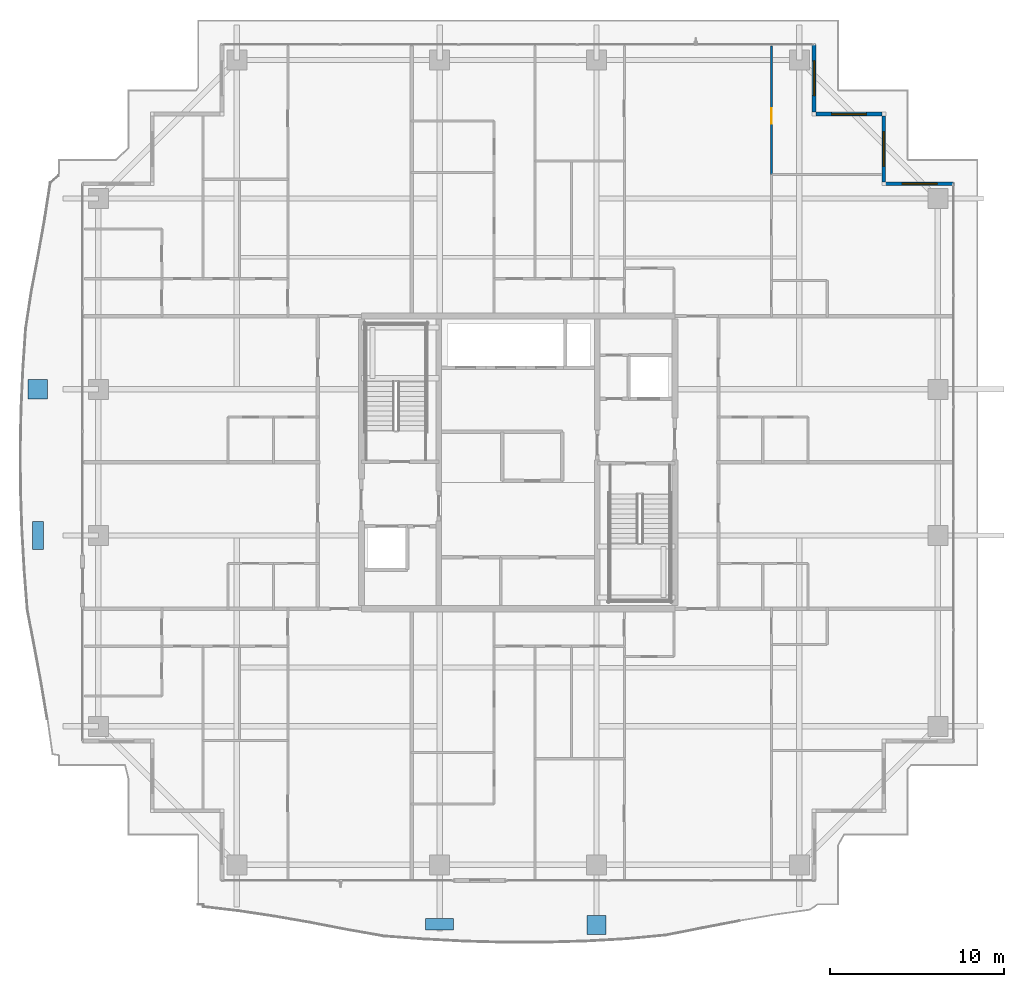
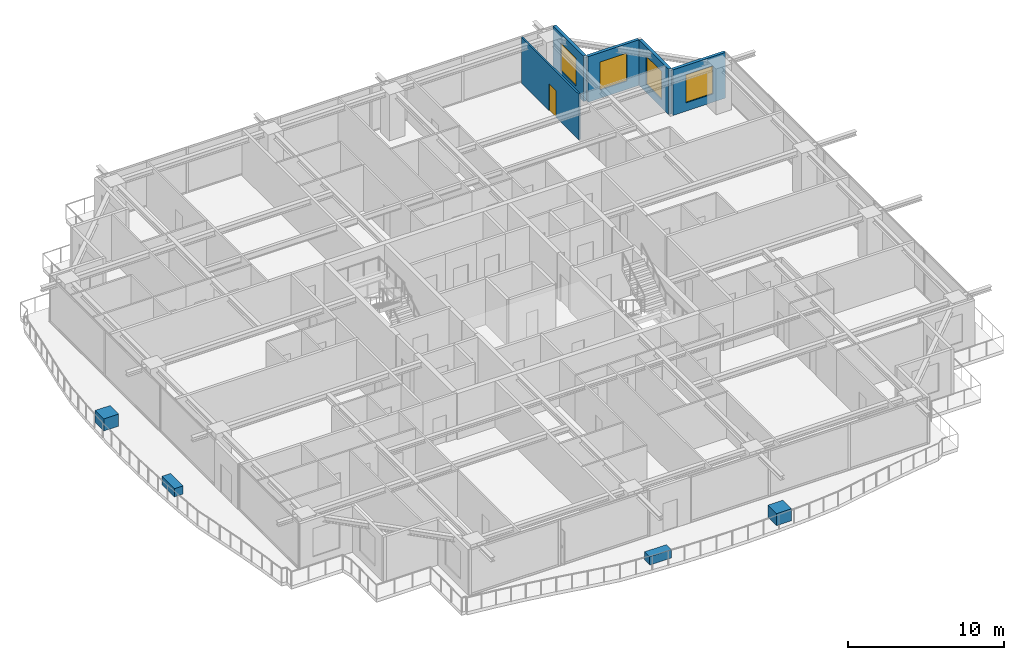
# One storey, part 29 of 38: 5 walls, 4 discrete accessories, 4 windows, 1 door, 5 openings.
"""IFC4 building model written with IfcOpenShell, lengths in metres."""

from ifc_helpers import new_model, si_unit, direction, frame, frame_2d, origin, origin_2d, place, context, subcontext, project, spatial, rectangle, extrude, source, transform, mapped, material, layer, layer_set, type_object, element, fill, save


model = new_model("IFC4")

# Units and contexts
model_context = context("Model", 3, precision=1e-05, world=origin(), true_north=direction((0.0, 1.0)))
body_context = subcontext(model_context, "Body", "Model", "MODEL_VIEW")
ifc_project = project(units=[si_unit("LENGTHUNIT", "METRE"), si_unit("AREAUNIT", "SQUARE_METRE"), si_unit("VOLUMEUNIT", "CUBIC_METRE"), si_unit("PLANEANGLEUNIT", "RADIAN"), si_unit("MASSUNIT", "GRAM", prefix="KILO")], contexts=[model_context])

# Site, building, storey
site_placement = place(None, origin())
site = spatial("IfcSite", under=ifc_project, at=site_placement, CompositionType="ELEMENT")
building_placement = place(site_placement, origin())
building = spatial("IfcBuilding", under=site, at=building_placement, Name="Serunith Strait Residences", CompositionType="ELEMENT")
storey_placement = place(building_placement, frame((0.0, 0.0, 241.25)))
storey = spatial("IfcBuildingStorey", under=building, at=storey_placement, Name="L60", CompositionType="ELEMENT", Elevation=241.25)

# Wall, opening, window
ifc_material_1 = material(Name="Pale-Champagne Aluminium Insulated Panel", Category="aluminium")
ifc_layer_1 = layer(ifc_material_1, 0.219970703125, Name="Pale-Champagne Aluminium Insulated Panel")
ifc_layer_set_1 = layer_set([ifc_layer_1], Name="Pale-Champagne Aluminium Insulated Panel")
wall_type_1 = type_object("IfcWallType", Name="EW-ALUM-220", PredefinedType="ELEMENTEDWALL", material=ifc_layer_set_1)
wall_1_placement = place(storey_placement, frame((57.39990234375, 41.199951171875, 0.0), z_axis=(0.0, 0.0, 1.0), x_axis=(-1.0, 0.0, 0.0)))
wall_1 = element("IfcWall", 1, at=wall_1_placement, inside=storey, type_object=wall_type_1, Name="L60 Girih Serrated Corner Wall 07", PredefinedType="ELEMENTEDWALL", context=body_context, shape_type="SweptSolid", body=[
    extrude(rectangle(XDim=3.889892578125, YDim=0.219970703125, at=frame_2d((1.94482421875, 0.0))), origin(), (0.0, 0.0, 1.0), 3.574951171875),
])
opening_1_placement = place(wall_1_placement, frame((0.945068359375, 0.0, 0.64990234375)))
opening_1 = element("IfcOpeningElement", 2, at=opening_1_placement, cuts=wall_1, Name="Opening W-04", PredefinedType="OPENING", context=body_context, shape_type="SweptSolid", body=[
    extrude(rectangle(XDim=2.0, YDim=2.199951171875, at=frame_2d((1.0, 1.10009765625))), frame((0.0, 0.1201171875, 0.0), z_axis=(0.0, -1.0, 0.0), x_axis=(1.0, 0.0, 0.0)), (0.0, 0.0, 1.0), 0.239990234375),
])
ifc_material_2 = material(Name="Ceramic-Fritted Operable Aluminium Window Glass", Category="aluminium")
window_type = type_object("IfcWindowType", Name="WIN-C4", PartitioningType="TRIPLE_PANEL_VERTICAL", PredefinedType="WINDOW", material=ifc_material_2)
shared_shape_1 = source(origin(), body_context, "Body", "SweptSolid", [
    extrude(rectangle(XDim=2.0, YDim=2.199951171875, at=frame_2d((1.0, 1.10009765625))), frame((0.0, 0.030029296875, 0.0), z_axis=(0.0, -1.0, 0.0), x_axis=(1.0, 0.0, 0.0)), (0.0, 0.0, 1.0), 0.06005859375),
])
window_1_placement = place(opening_1_placement, origin())
window_1 = element("IfcWindow", 3, at=window_1_placement, inside=storey, type_object=window_type, Name="L60 Corner Operable Fritted Window 07", OverallHeight=2.199951171875, OverallWidth=2.0, PartitioningType="SINGLE_PANEL", PredefinedType="WINDOW", context=body_context, shape_type="MappedRepresentation", body=[
    mapped(shared_shape_1, transform((0.0, 0.0, 0.0), scale=1.0)),
])
fill(opening_1, window_1)

wall_2_placement = place(storey_placement, frame((53.39990234375, 41.31005859375, 0.0), z_axis=(0.0, 0.0, 1.0), x_axis=(0.0, 1.0, 0.0)))
wall_2 = element("IfcWall", 4, at=wall_2_placement, inside=storey, type_object=wall_type_1, Name="L60 Girih Serrated Corner Wall 08", PredefinedType="ELEMENTEDWALL", context=body_context, shape_type="SweptSolid", body=[
    extrude(rectangle(XDim=3.780029296875, YDim=0.219970703125, at=frame_2d((1.89013671875, 0.0))), origin(), (0.0, 0.0, 1.0), 3.574951171875),
])
opening_2_placement = place(wall_2_placement, frame((0.889892578125, 0.0, 0.64990234375)))
opening_2 = element("IfcOpeningElement", 5, at=opening_2_placement, cuts=wall_2, Name="Opening W-04", PredefinedType="OPENING", context=body_context, shape_type="SweptSolid", body=[
    extrude(rectangle(XDim=2.0, YDim=2.199951171875, at=frame_2d((1.0, 1.10009765625))), frame((0.0, 0.1201171875, 0.0), z_axis=(0.0, -1.0, 0.0), x_axis=(1.0, 0.0, 0.0)), (0.0, 0.0, 1.0), 0.239990234375),
])
window_2_placement = place(opening_2_placement, origin())
window_2 = element("IfcWindow", 6, at=window_2_placement, inside=storey, type_object=window_type, Name="L60 Corner Operable Fritted Window 08", OverallHeight=2.199951171875, OverallWidth=2.0, PartitioningType="SINGLE_PANEL", PredefinedType="WINDOW", context=body_context, shape_type="MappedRepresentation", body=[
    mapped(shared_shape_1, transform((0.0, 0.0, 0.0), scale=1.0)),
])
fill(opening_2, window_2)

wall_3_placement = place(storey_placement, frame((53.2900390625, 45.199951171875, 0.0), z_axis=(0.0, 0.0, 1.0), x_axis=(-1.0, 0.0, 0.0)))
wall_3 = element("IfcWall", 7, at=wall_3_placement, inside=storey, type_object=wall_type_1, Name="L60 Girih Serrated Corner Wall 09", PredefinedType="ELEMENTEDWALL", context=body_context, shape_type="SweptSolid", body=[
    extrude(rectangle(XDim=3.780029296875, YDim=0.219970703125, at=frame_2d((1.89013671875, 0.0))), origin(), (0.0, 0.0, 1.0), 3.574951171875),
])
opening_3_placement = place(wall_3_placement, frame((0.889892578125, 0.0, 0.64990234375)))
opening_3 = element("IfcOpeningElement", 8, at=opening_3_placement, cuts=wall_3, Name="Opening W-04", PredefinedType="OPENING", context=body_context, shape_type="SweptSolid", body=[
    extrude(rectangle(XDim=2.0, YDim=2.199951171875, at=frame_2d((1.0, 1.10009765625))), frame((0.0, 0.1201171875, 0.0), z_axis=(0.0, -1.0, 0.0), x_axis=(1.0, 0.0, 0.0)), (0.0, 0.0, 1.0), 0.239990234375),
])
window_3_placement = place(opening_3_placement, origin())
window_3 = element("IfcWindow", 9, at=window_3_placement, inside=storey, type_object=window_type, Name="L60 Corner Operable Fritted Window 09", OverallHeight=2.199951171875, OverallWidth=2.0, PartitioningType="SINGLE_PANEL", PredefinedType="WINDOW", context=body_context, shape_type="MappedRepresentation", body=[
    mapped(shared_shape_1, transform((0.0, 0.0, 0.0), scale=1.0)),
])
fill(opening_3, window_3)

wall_4_placement = place(storey_placement, frame((49.39990234375, 45.31005859375, 0.0), z_axis=(0.0, 0.0, 1.0), x_axis=(0.0, 1.0, 0.0)))
wall_4 = element("IfcWall", 10, at=wall_4_placement, inside=storey, type_object=wall_type_1, Name="L60 Girih Serrated Corner Wall 10", PredefinedType="ELEMENTEDWALL", context=body_context, shape_type="SweptSolid", body=[
    extrude(rectangle(XDim=3.889892578125, YDim=0.219970703125, at=frame_2d((1.94482421875, 0.0))), origin(), (0.0, 0.0, 1.0), 3.574951171875),
])
opening_4_placement = place(wall_4_placement, frame((0.945068359375, 0.0, 0.64990234375)))
opening_4 = element("IfcOpeningElement", 11, at=opening_4_placement, cuts=wall_4, Name="Opening W-04", PredefinedType="OPENING", context=body_context, shape_type="SweptSolid", body=[
    extrude(rectangle(XDim=2.0, YDim=2.199951171875, at=frame_2d((1.0, 1.10009765625))), frame((0.0, 0.1201171875, 0.0), z_axis=(0.0, -1.0, 0.0), x_axis=(1.0, 0.0, 0.0)), (0.0, 0.0, 1.0), 0.239990234375),
])
window_4_placement = place(opening_4_placement, origin())
window_4 = element("IfcWindow", 12, at=window_4_placement, inside=storey, type_object=window_type, Name="L60 Corner Operable Fritted Window 10", OverallHeight=2.199951171875, OverallWidth=2.0, PartitioningType="SINGLE_PANEL", PredefinedType="WINDOW", context=body_context, shape_type="MappedRepresentation", body=[
    mapped(shared_shape_1, transform((0.0, 0.0, 0.0), scale=1.0)),
])
fill(opening_4, window_4)

# Wall, opening, door
ifc_material_3 = material(Name="Lightweight steel-stud gypsum partition", Category="steel")
ifc_layer_2 = layer(ifc_material_3, 0.1201171875, Name="Lightweight steel-stud gypsum partition")
ifc_layer_set_2 = layer_set([ifc_layer_2], Name="Lightweight steel-stud gypsum partition")
wall_type_2 = type_object("IfcWallType", Name="IW-PART-120", PredefinedType="PARTITIONING", material=ifc_layer_set_2)
wall_5_placement = place(storey_placement, frame((46.949951171875, 49.10498046875, 0.0), z_axis=(0.0, 0.0, 1.0), x_axis=(0.0, -1.0, 0.0)))
wall_5 = element("IfcWall", 13, at=wall_5_placement, inside=storey, type_object=wall_type_2, Name="L60 Partition Wall 097", PredefinedType="PARTITIONING", context=body_context, shape_type="SweptSolid", body=[
    extrude(rectangle(XDim=7.373046875, YDim=0.1201171875, at=frame_2d((3.6865234375, 0.0))), origin(), (0.0, 0.0, 1.0), 3.590087890625),
])
opening_5_placement = place(wall_5_placement, frame((3.56005859375, 0.0, 0.0)))
opening_5 = element("IfcOpeningElement", 14, at=opening_5_placement, cuts=wall_5, Name="Opening D-RM900", PredefinedType="OPENING", context=body_context, shape_type="SweptSolid", body=[
    extrude(rectangle(XDim=0.89990234375, YDim=2.10009765625, at=frame_2d((0.449951171875, 1.050048828125))), frame((0.0, 0.070068359375, 0.0), z_axis=(0.0, -1.0, 0.0), x_axis=(1.0, 0.0, 0.0)), (0.0, 0.0, 1.0), 0.14013671875),
])
ifc_material_4 = material(Name="Engineered timber flush bedroom door", Category="wood")
door_type = type_object("IfcDoorType", Name="ID-ROOM-900", OperationType="NOTDEFINED", PredefinedType="DOOR", material=ifc_material_4)
shared_shape_2 = source(origin(), body_context, "Body", "SweptSolid", [
    extrude(rectangle(XDim=0.89990234375, YDim=2.10009765625, at=frame_2d((0.449951171875, 1.050048828125))), frame((0.0, 0.02490234375, 0.0), z_axis=(0.0, -1.0, 0.0), x_axis=(1.0, 0.0, 0.0)), (0.0, 0.0, 1.0), 0.050048828125),
])
door_placement = place(opening_5_placement, origin())
door = element("IfcDoor", 15, at=door_placement, inside=storey, type_object=door_type, Name="L60 Bedroom 3 6004 Door", OperationType="SINGLE_SWING_RIGHT", OverallHeight=2.10009765625, OverallWidth=0.89990234375, PredefinedType="DOOR", context=body_context, shape_type="MappedRepresentation", body=[
    mapped(shared_shape_2, transform((0.0, 0.0, 0.0), scale=1.0)),
])
fill(opening_5, door)

# Discrete accessories
ifc_material_5 = material(Name="GFRC Root-Anchored Structural Planter")
discrete_accessory_type_1 = type_object("IfcDiscreteAccessoryType", Name="ACC-PLANTER-TREE", PredefinedType="USERDEFINED", material=ifc_material_5)
shared_shape_3 = source(origin(), body_context, "Body", "SweptSolid", [
    extrude(rectangle(XDim=1.10009765625, YDim=1.10009765625, at=origin_2d()), origin(), (0.0, 0.0, 1.0), 0.949951171875),
])
for number, where, z_axis, x_axis, name in (
    (16, (36.89990234375, -1.348388671875, -0.0498046875), (0.0, 0.0, 1.0), (1.0, 0.0, 0.0), "L60 Vertical-Forest Tree Planter 03"),
    (17, (4.8251953125, 29.39990234375, -0.0498046875), (0.0, 0.0, 1.0), (0.0, -1.0, 0.0), "L60 Vertical-Forest Tree Planter 15"),
):
    element("IfcDiscreteAccessory", number, at=place(storey_placement, frame(where, z_axis=z_axis, x_axis=x_axis)), inside=storey, type_object=discrete_accessory_type_1, Name=name, ObjectType="PLANTER", PredefinedType="USERDEFINED", context=body_context, shape_type="MappedRepresentation", body=[
        mapped(shared_shape_3, transform((0.0, 0.0, 0.0), scale=1.0)),
    ])
ifc_material_6 = material(Name="GFRC Irrigated Shrub Trough Planter")
discrete_accessory_type_2 = type_object("IfcDiscreteAccessoryType", Name="ACC-PLANTER-SHRUB", PredefinedType="USERDEFINED", material=ifc_material_6)
shared_shape_4 = source(origin(), body_context, "Body", "SweptSolid", [
    extrude(rectangle(XDim=1.60009765625, YDim=0.64990234375, at=origin_2d()), origin(), (0.0, 0.0, 1.0), 0.64990234375),
])
for number, where, z_axis, x_axis, name in (
    (18, (27.89990234375, -1.3134765625, -0.050048828125), (0.0, 0.0, 1.0), (1.0, 0.0, 0.0), "L60 Vertical-Forest Shrub Planter 02"),
    (19, (4.840087890625, 21.0, -0.050048828125), (0.0, 0.0, 1.0), (0.0, -1.0, 0.0), "L60 Vertical-Forest Shrub Planter 14"),
):
    element("IfcDiscreteAccessory", number, at=place(storey_placement, frame(where, z_axis=z_axis, x_axis=x_axis)), inside=storey, type_object=discrete_accessory_type_2, Name=name, ObjectType="PLANTER", PredefinedType="USERDEFINED", context=body_context, shape_type="MappedRepresentation", body=[
        mapped(shared_shape_4, transform((0.0, 0.0, 0.0), scale=1.0)),
    ])

save(model, "model.ifc")
